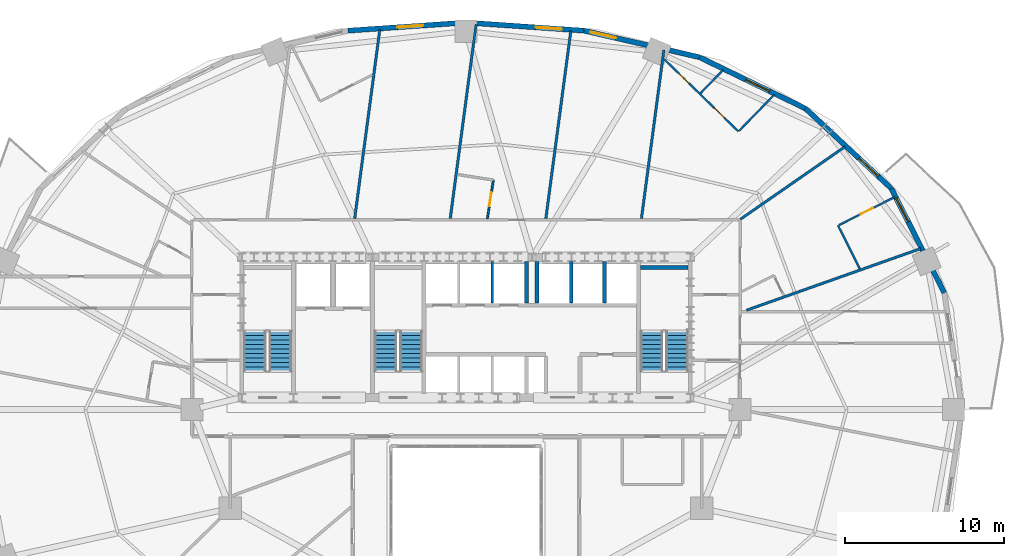
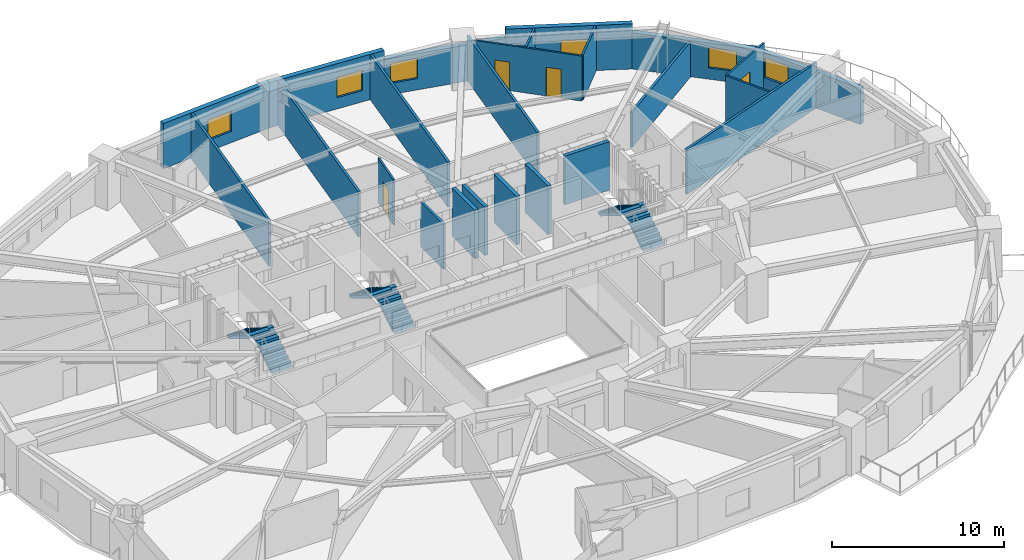
# One storey, part 13 of 17: 24 walls, 6 stair flights, 6 windows, 4 doors, 10 openings, 3 elements without a shape of their own.
"""IFC4 building model written with IfcOpenShell, lengths in metres."""

import ifcopenshell
import ifcopenshell.guid

model = None  # the IFC model being written
_history = None  # IfcOwnerHistory: only IFC2X3 demands one
_inside = {}  # id of a spatial element -> (the spatial element, [elements in it])
_under = {}  # id of a project, library or spatial element -> (it, [spatial elements below it])
_declared = {}  # id of a project -> (the project, [libraries it declares])
_typed = {}  # id of a type object -> (the type object, [elements of that type])
_made_of = {}  # id of a material, layer set ... -> (it, [elements and type objects made of it])


def new_model(schema):
    """Start an empty IFC model of exactly this schema.

    Asked for "IFC4X3", IfcOpenShell would pick the latest addendum, in which some entities
    have other attributes; the version numbers below select the first issue.
    IFC2X3 requires an IfcOwnerHistory on every rooted entity: one is made here for all.
    """
    global model, _history
    if schema == "IFC4X3":
        model = ifcopenshell.file(schema_version=(4, 3, 0, 0))
    else:
        model = ifcopenshell.file(schema=schema)
    _inside.clear()
    _under.clear()
    _declared.clear()
    _typed.clear()
    _made_of.clear()
    _history = None
    if model.schema == "IFC2X3":
        org = make("IfcOrganization", Name="unknown")
        user = make(
            "IfcPersonAndOrganization",
            ThePerson=make("IfcPerson", FamilyName="unknown"),
            TheOrganization=org,
        )
        app = make(
            "IfcApplication",
            ApplicationDeveloper=org,
            Version="unknown",
            ApplicationFullName="unknown",
            ApplicationIdentifier="unknown",
        )
        _history = make(
            "IfcOwnerHistory",
            OwningUser=user,
            OwningApplication=app,
            ChangeAction="ADDED",
            CreationDate=0,
        )
    return model


def make(cls, **values):
    """One entity of the class cls with the attributes given. An attribute that is None is left unset."""
    return model.create_entity(
        cls, **{name: value for name, value in values.items() if value is not None}
    )


def rooted(cls, **values):
    """An entity with a GlobalId (a new one), such as an element, a storey or a relation."""
    return make(cls, GlobalId=ifcopenshell.guid.new(), OwnerHistory=_history, **values)


def si_unit(unit_type, name, prefix=None):
    """IfcSIUnit, for example si_unit("LENGTHUNIT", "METRE", prefix="MILLI")."""
    return make("IfcSIUnit", UnitType=unit_type, Prefix=prefix, Name=name)


def assignment(units):
    """IfcUnitAssignment: the units of a project."""
    return None if units is None else make("IfcUnitAssignment", Units=units)


def point(xyz):
    """IfcCartesianPoint."""
    return None if xyz is None else make("IfcCartesianPoint", Coordinates=xyz)


def direction(xyz):
    """IfcDirection."""
    return None if xyz is None else make("IfcDirection", DirectionRatios=xyz)


def frame(location, z_axis=None, x_axis=None):
    """IfcAxis2Placement3D, a coordinate frame: its origin and axes. An axis left out is left unset."""
    return make(
        "IfcAxis2Placement3D",
        Location=point(location),
        Axis=direction(z_axis),
        RefDirection=direction(x_axis),
    )


def frame_2d(location, x_axis=None):
    """IfcAxis2Placement2D, a coordinate frame in the plane: its origin and x axis."""
    return make(
        "IfcAxis2Placement2D", Location=point(location), RefDirection=direction(x_axis)
    )


def origin():
    """The frame at (0, 0, 0) with its axes left unset."""
    return frame((0.0, 0.0, 0.0))


def place(relative_to, where):
    """IfcLocalPlacement: puts the frame where relative to a parent placement (None: the world)."""
    return make(
        "IfcLocalPlacement", PlacementRelTo=relative_to, RelativePlacement=where
    )


def context(
    kind, dimensions, precision=None, world=None, true_north=None, identifier=None
):
    """IfcGeometricRepresentationContext, for example the 3D "Model" context."""
    return make(
        "IfcGeometricRepresentationContext",
        ContextIdentifier=identifier,
        ContextType=kind,
        CoordinateSpaceDimension=dimensions,
        Precision=precision,
        WorldCoordinateSystem=world,
        TrueNorth=true_north,
    )


def subcontext(parent, identifier, kind, view, scale=None):
    """IfcGeometricRepresentationSubContext, for example "Body" below "Model"."""
    return make(
        "IfcGeometricRepresentationSubContext",
        ContextIdentifier=identifier,
        ContextType=kind,
        ParentContext=parent,
        TargetScale=scale,
        TargetView=view,
    )


def project(units=None, contexts=None):
    """IfcProject with its units and contexts."""
    return rooted(
        "IfcProject",
        Name="project",
        RepresentationContexts=contexts,
        UnitsInContext=assignment(units),
    )


def spatial(cls, under=None, at=None, **own):
    """A site, building, storey or space (cls), placed at a placement, below another one or the project."""
    s = rooted(cls, ObjectPlacement=at, **own)
    if under is not None:
        _under.setdefault(under.id(), (under, []))[1].append(s)
    return s


def polyline(points):
    """IfcPolyline through the points."""
    return make("IfcPolyline", Points=[point(p) for p in points])


def profile(cls, at=None, kind="AREA", **sizes):
    """A parametric profile (cls). Its sizes go by their IFC names, for example OverallWidth=200.0."""
    return make(cls, ProfileType=kind, Position=at, **sizes)


def rectangle(**sizes):
    """IfcRectangleProfileDef."""
    return profile("IfcRectangleProfileDef", **sizes)


def outline(outer, holes=None, kind="AREA"):
    """IfcArbitraryClosedProfileDef: a profile drawn as a closed curve; with holes, ...WithVoids."""
    if holes is None:
        return make("IfcArbitraryClosedProfileDef", ProfileType=kind, OuterCurve=outer)
    return make(
        "IfcArbitraryProfileDefWithVoids",
        ProfileType=kind,
        OuterCurve=outer,
        InnerCurves=holes,
    )


def extrude(swept, where, along, depth):
    """IfcExtrudedAreaSolid: the profile swept, set in the frame where, extruded along a direction by depth."""
    return make(
        "IfcExtrudedAreaSolid",
        SweptArea=swept,
        Position=where,
        ExtrudedDirection=direction(along),
        Depth=depth,
    )


def shape(context_of_items, identifier, shape_type, items):
    """IfcShapeRepresentation: the items that make up one representation, for example the "Body"."""
    return make(
        "IfcShapeRepresentation",
        ContextOfItems=context_of_items,
        RepresentationIdentifier=identifier,
        RepresentationType=shape_type,
        Items=items,
    )


def material(Name=None, Category=None):
    """IfcMaterial."""
    return make("IfcMaterial", Name=Name, Category=Category)


def layer(
    of_material, thickness, ventilated=None, Name=None, Category=None, Priority=None
):
    """IfcMaterialLayer: one layer of a wall or slab, of a material (None: an air gap)."""
    return make(
        "IfcMaterialLayer",
        Material=of_material,
        LayerThickness=thickness,
        IsVentilated=ventilated,
        Name=Name,
        Category=Category,
        Priority=Priority,
    )


def layer_set(layers, Name=None):
    """IfcMaterialLayerSet."""
    return make("IfcMaterialLayerSet", MaterialLayers=layers, LayerSetName=Name)


def made_of(thing, what):
    """Note that an element or type object is made of a material, layer set ...; save() writes the relation."""
    if what is not None:
        _made_of.setdefault(what.id(), (what, []))[1].append(thing)
    return thing


def type_object(cls, material=None, **own):
    """A type object (cls), such as IfcWallType, which elements share."""
    return made_of(rooted(cls, **own), material)


def element(
    cls,
    number,
    at=None,
    inside=None,
    cuts=None,
    type_object=None,
    material=None,
    context=None,
    identifier="Body",
    shape_type=None,
    held_by="IfcProductDefinitionShape",
    body=None,
    shapes=None,
    **own,
):
    """One element of the class cls, such as IfcWall. Its Tag is "e" and its number.

    at: its placement. inside: the storey or other place that contains it. cuts: it is an
    opening in that element (IfcRelVoidsElement). A single representation is given by context,
    identifier, shape_type and body (its items); several are given by shapes. held_by: the class
    of the entity that holds the representations. save() writes the other relations.
    """
    e = rooted(cls, Tag="e%d" % number, ObjectPlacement=at, **own)
    if body is not None:
        shapes = [shape(context, identifier, shape_type, body)]
    if shapes is not None:
        e.Representation = make(held_by, Representations=shapes)
    if inside is not None:
        _inside.setdefault(inside.id(), (inside, []))[1].append(e)
    if cuts is not None:
        rooted(
            "IfcRelVoidsElement", RelatingBuildingElement=cuts, RelatedOpeningElement=e
        )
    if type_object is not None:
        _typed.setdefault(type_object.id(), (type_object, []))[1].append(e)
    return made_of(e, material)


def fill(opening, filler):
    """IfcRelFillsElement: the door or window that sits in an opening."""
    return rooted(
        "IfcRelFillsElement",
        RelatingOpeningElement=opening,
        RelatedBuildingElement=filler,
    )


def aggregate(whole, parts):
    """IfcRelAggregates: a whole, such as a stair, and the parts it consists of."""
    return rooted("IfcRelAggregates", RelatingObject=whole, RelatedObjects=parts)


def save(model, path):
    """Write the relations noted so far, then the file.

    IfcRelAggregates (storeys below a building ...), IfcRelContainedInSpatialStructure (elements
    in a storey), IfcRelDefinesByType, IfcRelAssociatesMaterial and IfcRelDeclares: one each for
    every whole, place, type object, material and project.
    """
    for whole, parts in _under.values():
        aggregate(whole, parts)
    for where, things in _inside.values():
        rooted(
            "IfcRelContainedInSpatialStructure",
            RelatedElements=things,
            RelatingStructure=where,
        )
    for kind, things in _typed.values():
        rooted("IfcRelDefinesByType", RelatedObjects=things, RelatingType=kind)
    for what, things in _made_of.values():
        rooted("IfcRelAssociatesMaterial", RelatedObjects=things, RelatingMaterial=what)
    for by, libraries in _declared.values():
        rooted("IfcRelDeclares", RelatingContext=by, RelatedDefinitions=libraries)
    model.write(path)


model = new_model("IFC4")

# Units and contexts
model_context = context("Model", 3, precision=1e-05, world=origin(), true_north=direction((0.0, 1.0)))
body_context = subcontext(model_context, "Body", "Model", "MODEL_VIEW")
ifc_project = project(units=[si_unit("LENGTHUNIT", "METRE"), si_unit("AREAUNIT", "SQUARE_METRE"), si_unit("VOLUMEUNIT", "CUBIC_METRE"), si_unit("PLANEANGLEUNIT", "RADIAN"), si_unit("MASSUNIT", "GRAM", prefix="KILO")], contexts=[model_context])

# Site, building, storey
site_placement = place(None, origin())
site = spatial("IfcSite", under=ifc_project, at=site_placement, CompositionType="ELEMENT")
building_placement = place(site_placement, origin())
building = spatial("IfcBuilding", under=site, at=building_placement, Name="Haldorwick Loom Tower", CompositionType="ELEMENT")
storey_placement = place(building_placement, frame((0.0, 0.0, 55.050048828125)))
storey = spatial("IfcBuildingStorey", under=building, at=storey_placement, Name="L14", CompositionType="ELEMENT", Elevation=55.050048828125)

# Wall, opening, window
ifc_material_1 = material(Name="Pressed Clay Face Brick and Insulated Masonry Backup Assembly", Category="masonry")
ifc_layer_1 = layer(ifc_material_1, 0.320068359375, Name="Pressed Clay Face Brick and Insulated Masonry Backup Assembly", Category="masonry")
ifc_layer_set_1 = layer_set([ifc_layer_1], Name="Pressed Clay Face Brick and Insulated Masonry Backup Assembly")
wall_type_1 = type_object("IfcWallType", Name="ARC-WL-EXT320", PredefinedType="STANDARD", material=ifc_layer_set_1)
wall_1_placement = place(storey_placement, frame((66.021728515625, 33.320556640625, 0.0), z_axis=(0.0, 0.0, 1.0), x_axis=(-0.452950855928, 0.891535485617, 0.0)))
wall_1 = element("IfcWall", 1, at=wall_1_placement, inside=storey, type_object=wall_type_1, Name="L14 Brick Pier and Spandrel Wall 2", PredefinedType="STANDARD", context=body_context, shape_type="SweptSolid", body=[
    extrude(rectangle(XDim=7.3583984375, YDim=0.320068359375, at=frame_2d((3.67919921875, 0.0))), origin(), (0.0, 0.0, 1.0), 2.56884765625),
])
opening_1_placement = place(wall_1_placement, frame((5.00927734375, 0.0, 0.800048828125)))
opening_1 = element("IfcOpeningElement", 2, at=opening_1_placement, cuts=wall_1, Name="Opening W-01B", PredefinedType="OPENING", context=body_context, shape_type="SweptSolid", body=[
    extrude(rectangle(XDim=1.64990234375, YDim=1.449951171875, at=frame_2d((0.824951171875, 0.72509765625))), frame((0.0, 0.169921875, 0.0), z_axis=(0.0, -1.0, 0.0), x_axis=(1.0, 0.0, 0.0)), (0.0, 0.0, 1.0), 0.340087890625),
])
ifc_material_2 = material(Name="Triple-Glazed Low-E Argon Insulated Glazing Unit", Category="glass")
window_type = type_object("IfcWindowType", Name="ARC-WIN-W165", PartitioningType="SINGLE_PANEL", PredefinedType="WINDOW", material=ifc_material_2)
window_1_placement = place(opening_1_placement, origin())
window_1 = element("IfcWindow", 3, at=window_1_placement, inside=storey, type_object=window_type, Name="L14 Deep-Set Zone 7A Window 2", OverallHeight=1.449951171875, OverallWidth=1.64990234375, PartitioningType="SINGLE_PANEL", PredefinedType="WINDOW", context=body_context, shape_type="SweptSolid", body=[
    extrude(rectangle(XDim=1.64990234375, YDim=1.449951171875, at=frame_2d((0.824951171875, 0.72509765625))), frame((0.0, 0.030029296875, 0.0), z_axis=(0.0, -1.0, 0.0), x_axis=(1.0, 0.0, 0.0)), (0.0, 0.0, 1.0), 0.06005859375),
])
fill(opening_1, window_1)

wall_2_placement = place(storey_placement, frame((62.688720703125, 39.880859375, 0.0), z_axis=(0.0, 0.0, 1.0), x_axis=(-0.73176101237, 0.681561311091, 0.0)))
wall_2 = element("IfcWall", 4, at=wall_2_placement, inside=storey, type_object=wall_type_1, Name="L14 Brick Pier and Spandrel Wall 3", PredefinedType="STANDARD", context=body_context, shape_type="SweptSolid", body=[
    extrude(rectangle(XDim=7.3583984375, YDim=0.320068359375, at=frame_2d((3.67919921875, 0.0))), origin(), (0.0, 0.0, 1.0), 2.56884765625),
])
opening_2_placement = place(wall_2_placement, frame((1.1181640625, 0.0, 0.800048828125)))
opening_2 = element("IfcOpeningElement", 5, at=opening_2_placement, cuts=wall_2, Name="Opening W-01B", PredefinedType="OPENING", context=body_context, shape_type="SweptSolid", body=[
    extrude(rectangle(XDim=1.64990234375, YDim=1.449951171875, at=frame_2d((0.824951171875, 0.72509765625))), frame((0.0, 0.169921875, 0.0), z_axis=(0.0, -1.0, 0.0), x_axis=(1.0, 0.0, 0.0)), (0.0, 0.0, 1.0), 0.340087890625),
])
window_2_placement = place(opening_2_placement, origin())
window_2 = element("IfcWindow", 6, at=window_2_placement, inside=storey, type_object=window_type, Name="L14 Deep-Set Zone 7A Window 3", OverallHeight=1.449951171875, OverallWidth=1.64990234375, PartitioningType="SINGLE_PANEL", PredefinedType="WINDOW", context=body_context, shape_type="SweptSolid", body=[
    extrude(rectangle(XDim=1.64990234375, YDim=1.449951171875, at=frame_2d((0.824951171875, 0.72509765625))), frame((0.0, 0.030029296875, 0.0), z_axis=(0.0, -1.0, 0.0), x_axis=(1.0, 0.0, 0.0)), (0.0, 0.0, 1.0), 0.06005859375),
])
fill(opening_2, window_2)

wall_3_placement = place(storey_placement, frame((57.30419921875, 44.89599609375, 0.0), z_axis=(0.0, 0.0, 1.0), x_axis=(-0.900295710431, 0.435278800057, 0.0)))
wall_3 = element("IfcWall", 7, at=wall_3_placement, inside=storey, type_object=wall_type_1, Name="L14 Brick Pier and Spandrel Wall 4", PredefinedType="STANDARD", context=body_context, shape_type="SweptSolid", body=[
    extrude(rectangle(XDim=7.39697265625, YDim=0.320068359375, at=frame_2d((3.698486328125, 0.0))), origin(), (0.0, 0.0, 1.0), 3.2099609375),
])
opening_3_placement = place(wall_3_placement, frame((2.51171875, 0.0, 0.800048828125)))
opening_3 = element("IfcOpeningElement", 8, at=opening_3_placement, cuts=wall_3, Name="Opening W-01B", PredefinedType="OPENING", context=body_context, shape_type="SweptSolid", body=[
    extrude(rectangle(XDim=1.64990234375, YDim=1.449951171875, at=frame_2d((0.824951171875, 0.72509765625))), frame((0.0, 0.169921875, 0.0), z_axis=(0.0, -1.0, 0.0), x_axis=(1.0, 0.0, 0.0)), (0.0, 0.0, 1.0), 0.340087890625),
])
window_3_placement = place(opening_3_placement, origin())
window_3 = element("IfcWindow", 9, at=window_3_placement, inside=storey, type_object=window_type, Name="L14 Deep-Set Zone 7A Window 4", OverallHeight=1.449951171875, OverallWidth=1.64990234375, PartitioningType="SINGLE_PANEL", PredefinedType="WINDOW", context=body_context, shape_type="SweptSolid", body=[
    extrude(rectangle(XDim=1.64990234375, YDim=1.449951171875, at=frame_2d((0.824951171875, 0.72509765625))), frame((0.0, 0.030029296875, 0.0), z_axis=(0.0, -1.0, 0.0), x_axis=(1.0, 0.0, 0.0)), (0.0, 0.0, 1.0), 0.06005859375),
])
fill(opening_3, window_3)

wall_4_placement = place(storey_placement, frame((50.644775390625, 48.11572265625, 0.0), z_axis=(0.0, 0.0, 1.0), x_axis=(-0.974522412345, 0.224290142088, 0.0)))
wall_4 = element("IfcWall", 10, at=wall_4_placement, inside=storey, type_object=wall_type_1, Name="L14 Brick Pier and Spandrel Wall 5", PredefinedType="STANDARD", context=body_context, shape_type="SweptSolid", body=[
    extrude(rectangle(XDim=7.422607421875, YDim=0.320068359375, at=frame_2d((3.71142578125, 0.0))), origin(), (0.0, 0.0, 1.0), 2.56884765625),
])
opening_4_placement = place(wall_4_placement, frame((5.37255859375, 0.0, 0.800048828125)))
opening_4 = element("IfcOpeningElement", 11, at=opening_4_placement, cuts=wall_4, Name="Opening W-01B", PredefinedType="OPENING", context=body_context, shape_type="SweptSolid", body=[
    extrude(rectangle(XDim=1.64990234375, YDim=1.449951171875, at=frame_2d((0.824951171875, 0.72509765625))), frame((0.0, 0.169921875, 0.0), z_axis=(0.0, -1.0, 0.0), x_axis=(1.0, 0.0, 0.0)), (0.0, 0.0, 1.0), 0.340087890625),
])
window_4_placement = place(opening_4_placement, origin())
window_4 = element("IfcWindow", 12, at=window_4_placement, inside=storey, type_object=window_type, Name="L14 Deep-Set Zone 7A Window 5", OverallHeight=1.449951171875, OverallWidth=1.64990234375, PartitioningType="SINGLE_PANEL", PredefinedType="WINDOW", context=body_context, shape_type="SweptSolid", body=[
    extrude(rectangle(XDim=1.64990234375, YDim=1.449951171875, at=frame_2d((0.824951171875, 0.72509765625))), frame((0.0, 0.030029296875, 0.0), z_axis=(0.0, -1.0, 0.0), x_axis=(1.0, 0.0, 0.0)), (0.0, 0.0, 1.0), 0.06005859375),
])
fill(opening_4, window_4)

wall_5_placement = place(storey_placement, frame((43.411376953125, 49.780517578125, 0.0), z_axis=(0.0, 0.0, 1.0), x_axis=(-0.997645161917, 0.068586667092, 0.0)))
wall_5 = element("IfcWall", 13, at=wall_5_placement, inside=storey, type_object=wall_type_1, Name="L14 Brick Pier and Spandrel Wall 6", PredefinedType="STANDARD", context=body_context, shape_type="SweptSolid", body=[
    extrude(rectangle(XDim=7.428955078125, YDim=0.320068359375, at=frame_2d((3.71435546875, 0.0))), origin(), (0.0, 0.0, 1.0), 3.2099609375),
])
opening_5_placement = place(wall_5_placement, frame((1.403564453125, 0.0, 0.800048828125)))
opening_5 = element("IfcOpeningElement", 14, at=opening_5_placement, cuts=wall_5, Name="Opening W-01B", PredefinedType="OPENING", context=body_context, shape_type="SweptSolid", body=[
    extrude(rectangle(XDim=1.64990234375, YDim=1.449951171875, at=frame_2d((0.824951171875, 0.72509765625))), frame((0.0, 0.169921875, 0.0), z_axis=(0.0, -1.0, 0.0), x_axis=(1.0, 0.0, 0.0)), (0.0, 0.0, 1.0), 0.340087890625),
])
window_5_placement = place(opening_5_placement, origin())
window_5 = element("IfcWindow", 15, at=window_5_placement, inside=storey, type_object=window_type, Name="L14 Deep-Set Zone 7A Window 6", OverallHeight=1.449951171875, OverallWidth=1.64990234375, PartitioningType="SINGLE_PANEL", PredefinedType="WINDOW", context=body_context, shape_type="SweptSolid", body=[
    extrude(rectangle(XDim=1.64990234375, YDim=1.449951171875, at=frame_2d((0.824951171875, 0.72509765625))), frame((0.0, 0.030029296875, 0.0), z_axis=(0.0, -1.0, 0.0), x_axis=(1.0, 0.0, 0.0)), (0.0, 0.0, 1.0), 0.06005859375),
])
fill(opening_5, window_5)

wall_6_placement = place(storey_placement, frame((36.0, 50.2900390625, 0.0), z_axis=(0.0, 0.0, 1.0), x_axis=(-0.997645161917, -0.068586667092, 0.0)))
wall_6 = element("IfcWall", 16, at=wall_6_placement, inside=storey, type_object=wall_type_1, Name="L14 Brick Pier and Spandrel Wall 7", PredefinedType="STANDARD", context=body_context, shape_type="SweptSolid", body=[
    extrude(rectangle(XDim=7.428955078125, YDim=0.320068359375, at=frame_2d((3.71435546875, 0.0))), origin(), (0.0, 0.0, 1.0), 3.2099609375),
])
opening_6_placement = place(wall_6_placement, frame((2.679443359375, 0.0, 0.800048828125)))
opening_6 = element("IfcOpeningElement", 17, at=opening_6_placement, cuts=wall_6, Name="Opening W-01B", PredefinedType="OPENING", context=body_context, shape_type="SweptSolid", body=[
    extrude(rectangle(XDim=1.64990234375, YDim=1.449951171875, at=frame_2d((0.824951171875, 0.72509765625))), frame((0.0, 0.169921875, 0.0), z_axis=(0.0, -1.0, 0.0), x_axis=(1.0, 0.0, 0.0)), (0.0, 0.0, 1.0), 0.340087890625),
])
window_6_placement = place(opening_6_placement, origin())
window_6 = element("IfcWindow", 18, at=window_6_placement, inside=storey, type_object=window_type, Name="L14 Deep-Set Zone 7A Window 7", OverallHeight=1.449951171875, OverallWidth=1.64990234375, PartitioningType="SINGLE_PANEL", PredefinedType="WINDOW", context=body_context, shape_type="SweptSolid", body=[
    extrude(rectangle(XDim=1.64990234375, YDim=1.449951171875, at=frame_2d((0.824951171875, 0.72509765625))), frame((0.0, 0.030029296875, 0.0), z_axis=(0.0, -1.0, 0.0), x_axis=(1.0, 0.0, 0.0)), (0.0, 0.0, 1.0), 0.06005859375),
])
fill(opening_6, window_6)

# Walls
ifc_material_3 = material(Name="Fire-Rated Type X Gypsum Stud Assembly EI 60")
ifc_layer_2 = layer(ifc_material_3, 0.159912109375, Name="Fire-Rated Type X Gypsum Stud Assembly EI 60")
ifc_layer_set_2 = layer_set([ifc_layer_2], Name="Fire-Rated Type X Gypsum Stud Assembly EI 60")
wall_type_2 = type_object("IfcWallType", Name="ARC-WL-FIRE160", PredefinedType="PARTITIONING", material=ifc_layer_set_2)
wall_7_placement = place(storey_placement, frame((29.010986328125, 37.98291015625, 0.0), z_axis=(0.0, 0.0, 1.0), x_axis=(0.131892611643, 0.991264010743, 0.0)))
element("IfcWall", 19, at=wall_7_placement, inside=storey, type_object=wall_type_2, Name="L14 Residential Fire Partition L14-UPN-15", PredefinedType="PARTITIONING", context=body_context, shape_type="SweptSolid", body=[
    extrude(rectangle(XDim=11.974365234375, YDim=0.159912109375, at=frame_2d((5.9873046875, 0.0))), origin(), (0.0, 0.0, 1.0), 3.195068359375),
])
wall_8_placement = place(storey_placement, frame((35.010986328125, 37.98291015625, 0.0), z_axis=(0.0, 0.0, 1.0), x_axis=(0.131871324026, 0.991266842934, 0.0)))
element("IfcWall", 20, at=wall_8_placement, inside=storey, type_object=wall_type_2, Name="L14 Residential Fire Partition L14-UPN-16", PredefinedType="PARTITIONING", context=body_context, shape_type="SweptSolid", body=[
    extrude(rectangle(XDim=12.305908203125, YDim=0.159912109375, at=frame_2d((6.15283203125, 0.0))), origin(), (0.0, 0.0, 1.0), 3.195068359375),
])
wall_9_placement = place(storey_placement, frame((41.010986328125, 37.98291015625, 0.0), z_axis=(0.0, 0.0, 1.0), x_axis=(0.131888075112, 0.99126461434, 0.0)))
element("IfcWall", 21, at=wall_9_placement, inside=storey, type_object=wall_type_2, Name="L14 Residential Fire Partition L14-UPN-17", PredefinedType="PARTITIONING", context=body_context, shape_type="SweptSolid", body=[
    extrude(rectangle(XDim=11.8935546875, YDim=0.159912109375, at=frame_2d((5.94677734375, 0.0))), origin(), (0.0, 0.0, 1.0), 3.195068359375),
])
wall_10_placement = place(storey_placement, frame((47.010986328125, 37.98291015625, 0.0), z_axis=(0.0, 0.0, 1.0), x_axis=(0.131889483292, 0.991264426981, 0.0)))
element("IfcWall", 22, at=wall_10_placement, inside=storey, type_object=wall_type_2, Name="L14 Residential Fire Partition L14-UPN-18", PredefinedType="PARTITIONING", context=body_context, shape_type="SweptSolid", body=[
    extrude(rectangle(XDim=10.671630859375, YDim=0.159912109375, at=frame_2d((5.3359375, 0.0))), origin(), (0.0, 0.0, 1.0), 3.195068359375),
])
wall_11_placement = place(storey_placement, frame((53.60693359375, 32.23291015625, 0.0), z_axis=(0.0, 0.0, 1.0), x_axis=(0.942668773829, 0.333729805152, 0.0)))
element("IfcWall", 23, at=wall_11_placement, inside=storey, type_object=wall_type_2, Name="L14 Suite Split Wall", PredefinedType="PARTITIONING", context=body_context, shape_type="SweptSolid", body=[
    extrude(rectangle(XDim=11.59375, YDim=0.159912109375, at=frame_2d((5.796875, 0.0))), origin(), (0.0, 0.0, 1.0), 3.195068359375),
])
wall_12_placement = place(storey_placement, frame((53.21630859375, 37.93994140625, 0.0), z_axis=(0.0, 0.0, 1.0), x_axis=(0.821714778091, 0.569898958998, 0.0)))
element("IfcWall", 24, at=wall_12_placement, inside=storey, type_object=wall_type_2, Name="L14 Suite Split Wall", PredefinedType="PARTITIONING", context=body_context, shape_type="SweptSolid", body=[
    extrude(rectangle(XDim=7.99462890625, YDim=0.159912109375, at=frame_2d((3.997314453125, 0.0))), origin(), (0.0, 0.0, 1.0), 2.489990234375),
])

# Wall, opening, door
ifc_material_4 = material(Name="Acoustic Gypsum Stud Assembly STC 55")
ifc_layer_3 = layer(ifc_material_4, 0.1201171875, Name="Acoustic Gypsum Stud Assembly STC 55")
ifc_layer_set_3 = layer_set([ifc_layer_3], Name="Acoustic Gypsum Stud Assembly STC 55")
wall_type_3 = type_object("IfcWallType", Name="ARC-WL-PART120", PredefinedType="PARTITIONING", material=ifc_layer_set_3)
wall_13_placement = place(storey_placement, frame((37.341064453125, 37.98291015625, 0.0), z_axis=(0.0, 0.0, 1.0), x_axis=(0.153473321851, 0.988152791566, 0.0)))
wall_13 = element("IfcWall", 25, at=wall_13_placement, inside=storey, type_object=wall_type_3, Name="L14 Unit 14G Interior Partition", PredefinedType="PARTITIONING", context=body_context, shape_type="SweptSolid", body=[
    extrude(rectangle(XDim=2.4482421875, YDim=0.1201171875, at=frame_2d((1.22412109375, 0.0))), origin(), (0.0, 0.0, 1.0), 3.195068359375),
])
opening_7_placement = place(wall_13_placement, frame((0.7841796875, 0.0, 0.0)))
opening_7 = element("IfcOpeningElement", 26, at=opening_7_placement, cuts=wall_13, Name="Opening D-BT88", PredefinedType="OPENING", context=body_context, shape_type="SweptSolid", body=[
    extrude(rectangle(XDim=0.8798828125, YDim=2.02001953125, at=frame_2d((0.43994140625, 1.010009765625))), frame((0.0, 0.070068359375, 0.0), z_axis=(0.0, -1.0, 0.0), x_axis=(1.0, 0.0, 0.0)), (0.0, 0.0, 1.0), 0.14013671875),
])
ifc_material_5 = material(Name="Solid Core Birch Architectural Door")
door_type_1 = type_object("IfcDoorType", Name="ARC-DR-BATH88", OperationType="NOTDEFINED", PredefinedType="DOOR", material=ifc_material_5)
door_1_placement = place(opening_7_placement, origin())
door_1 = element("IfcDoor", 27, at=door_1_placement, inside=storey, type_object=door_type_1, Name="L14 Unit 14G Bathroom to Unit 14G Kitchen and Studio Living Room Door", OperationType="SINGLE_SWING_LEFT", OverallHeight=2.02001953125, OverallWidth=0.8798828125, PredefinedType="DOOR", context=body_context, shape_type="SweptSolid", body=[
    extrude(rectangle(XDim=0.8798828125, YDim=2.02001953125, at=frame_2d((0.43994140625, 1.010009765625))), frame((0.0, 0.02490234375, 0.0), z_axis=(0.0, -1.0, 0.0), x_axis=(1.0, 0.0, 0.0)), (0.0, 0.0, 1.0), 0.050048828125),
])
fill(opening_7, door_1)

# Wall
wall_14_placement = place(storey_placement, frame((60.7158203125, 34.837646484375, 0.0), z_axis=(0.0, 0.0, 1.0), x_axis=(-0.449400530319, 0.893330377491, 0.0)))
element("IfcWall", 28, at=wall_14_placement, inside=storey, type_object=wall_type_3, Name="L14 Unit 14J Interior Partition", PredefinedType="PARTITIONING", context=body_context, shape_type="SweptSolid", body=[
    extrude(rectangle(XDim=3.03466796875, YDim=0.1201171875, at=frame_2d((1.517333984375, 0.0))), origin(), (0.0, 0.0, 1.0), 3.195068359375),
])

# Wall, opening, door
wall_15_placement = place(storey_placement, frame((59.408203125, 37.576904296875, 0.0), z_axis=(0.0, 0.0, 1.0), x_axis=(0.893311142438, 0.449438764234, 0.0)))
wall_15 = element("IfcWall", 29, at=wall_15_placement, inside=storey, type_object=wall_type_3, Name="L14 Unit 14J Interior Partition", PredefinedType="PARTITIONING", context=body_context, shape_type="SweptSolid", body=[
    extrude(rectangle(XDim=3.903564453125, YDim=0.1201171875, at=frame_2d((1.95166015625, 0.0))), origin(), (0.0, 0.0, 1.0), 3.195068359375),
])
opening_8_placement = place(wall_15_placement, frame((1.501708984375, 0.0, 0.0)))
opening_8 = element("IfcOpeningElement", 30, at=opening_8_placement, cuts=wall_15, Name="Opening D-IN90", PredefinedType="OPENING", context=body_context, shape_type="SweptSolid", body=[
    extrude(rectangle(XDim=0.89990234375, YDim=2.0400390625, at=frame_2d((0.449951171875, 1.02001953125))), frame((0.0, 0.070068359375, 0.0), z_axis=(0.0, -1.0, 0.0), x_axis=(1.0, 0.0, 0.0)), (0.0, 0.0, 1.0), 0.14013671875),
])
door_type_2 = type_object("IfcDoorType", Name="ARC-DR-INT90", OperationType="NOTDEFINED", PredefinedType="DOOR", material=ifc_material_5)
door_2_placement = place(opening_8_placement, origin())
door_2 = element("IfcDoor", 31, at=door_2_placement, inside=storey, type_object=door_type_2, Name="L14 Unit 14J Kitchen and Living Room to Unit 14J Bedroom 1 Door", OperationType="SINGLE_SWING_LEFT", OverallHeight=2.0400390625, OverallWidth=0.89990234375, PredefinedType="DOOR", context=body_context, shape_type="SweptSolid", body=[
    extrude(rectangle(XDim=0.89990234375, YDim=2.0400390625, at=frame_2d((0.449951171875, 1.02001953125))), frame((0.0, 0.02490234375, 0.0), z_axis=(0.0, -1.0, 0.0), x_axis=(1.0, 0.0, 0.0)), (0.0, 0.0, 1.0), 0.050048828125),
])
fill(opening_8, door_2)

# Wall, openings, doors
wall_16_placement = place(storey_placement, frame((53.098388671875, 43.45068359375, 0.0), z_axis=(0.0, 0.0, 1.0), x_axis=(-0.716200799815, 0.697894271609, 0.0)))
wall_16 = element("IfcWall", 32, at=wall_16_placement, inside=storey, type_object=wall_type_3, Name="L14 Unit 14K Interior Partition", PredefinedType="PARTITIONING", context=body_context, shape_type="SweptSolid", body=[
    extrude(rectangle(XDim=6.521484375, YDim=0.1201171875, at=frame_2d((3.2607421875, 0.0))), origin(), (0.0, 0.0, 1.0), 3.195068359375),
])
opening_9_placement = place(wall_16_placement, frame((1.236572265625, 0.0, 0.0)))
opening_9 = element("IfcOpeningElement", 33, at=opening_9_placement, cuts=wall_16, Name="Opening D-IN90", PredefinedType="OPENING", context=body_context, shape_type="SweptSolid", body=[
    extrude(rectangle(XDim=0.89990234375, YDim=2.0400390625, at=frame_2d((0.449951171875, 1.02001953125))), frame((0.0, 0.070068359375, 0.0), z_axis=(0.0, -1.0, 0.0), x_axis=(1.0, 0.0, 0.0)), (0.0, 0.0, 1.0), 0.14013671875),
])
opening_10_placement = place(wall_16_placement, frame((4.329345703125, 0.0, 0.0)))
opening_10 = element("IfcOpeningElement", 34, at=opening_10_placement, cuts=wall_16, Name="Opening D-BT88", PredefinedType="OPENING", context=body_context, shape_type="SweptSolid", body=[
    extrude(rectangle(XDim=0.8798828125, YDim=2.02001953125, at=frame_2d((0.43994140625, 1.010009765625))), frame((0.0, 0.070068359375, 0.0), z_axis=(0.0, -1.0, 0.0), x_axis=(1.0, 0.0, 0.0)), (0.0, 0.0, 1.0), 0.14013671875),
])
door_3_placement = place(opening_10_placement, origin())
door_3 = element("IfcDoor", 35, at=door_3_placement, inside=storey, type_object=door_type_1, Name="L14 Unit 14K Kitchen and Living Room to Unit 14K Bathroom Door", OperationType="SINGLE_SWING_LEFT", OverallHeight=2.02001953125, OverallWidth=0.8798828125, PredefinedType="DOOR", context=body_context, shape_type="SweptSolid", body=[
    extrude(rectangle(XDim=0.8798828125, YDim=2.02001953125, at=frame_2d((0.43994140625, 1.010009765625))), frame((0.0, 0.02490234375, 0.0), z_axis=(0.0, -1.0, 0.0), x_axis=(1.0, 0.0, 0.0)), (0.0, 0.0, 1.0), 0.050048828125),
])
fill(opening_10, door_3)
door_4_placement = place(opening_9_placement, origin())
door_4 = element("IfcDoor", 36, at=door_4_placement, inside=storey, type_object=door_type_2, Name="L14 Unit 14K Kitchen and Living Room to Unit 14K Bedroom 1 Door", OperationType="SINGLE_SWING_RIGHT", OverallHeight=2.0400390625, OverallWidth=0.89990234375, PredefinedType="DOOR", context=body_context, shape_type="SweptSolid", body=[
    extrude(rectangle(XDim=0.89990234375, YDim=2.0400390625, at=frame_2d((0.449951171875, 1.02001953125))), frame((0.0, 0.02490234375, 0.0), z_axis=(0.0, -1.0, 0.0), x_axis=(1.0, 0.0, 0.0)), (0.0, 0.0, 1.0), 0.050048828125),
])
fill(opening_9, door_4)

# Walls
wall_17_placement = place(storey_placement, frame((53.142578125, 43.495849609375, 0.0), z_axis=(0.0, 0.0, 1.0), x_axis=(0.697882960222, 0.716211821901, 0.0)))
element("IfcWall", 37, at=wall_17_placement, inside=storey, type_object=wall_type_3, Name="L14 Unit 14K Interior Partition", PredefinedType="PARTITIONING", context=body_context, shape_type="SweptSolid", body=[
    extrude(rectangle(XDim=3.170166015625, YDim=0.1201171875, at=frame_2d((1.5849609375, 0.0))), origin(), (0.0, 0.0, 1.0), 3.195068359375),
])
wall_18_placement = place(storey_placement, frame((50.718994140625, 45.857421875, 0.0), z_axis=(0.0, 0.0, 1.0), x_axis=(0.697896196061, 0.716198924548, 0.0)))
element("IfcWall", 38, at=wall_18_placement, inside=storey, type_object=wall_type_3, Name="L14 Unit 14K Interior Partition", PredefinedType="PARTITIONING", context=body_context, shape_type="SweptSolid", body=[
    extrude(rectangle(XDim=2.040771484375, YDim=0.1201171875, at=frame_2d((1.0205078125, 0.0))), origin(), (0.0, 0.0, 1.0), 3.195068359375),
])
ifc_material_6 = material(Name="Fire-Rated Type X Gypsum Stud Assembly EI 120")
ifc_layer_4 = layer(ifc_material_6, 0.1650390625, Name="Fire-Rated Type X Gypsum Stud Assembly EI 120")
ifc_layer_set_4 = layer_set([ifc_layer_4], Name="Fire-Rated Type X Gypsum Stud Assembly EI 120")
wall_type_4 = type_object("IfcWallType", Name="ARC-WL-SHAFT160", PredefinedType="MOVABLE", material=ifc_layer_set_4)
wall_19_placement = place(storey_placement, frame((37.64990234375, 32.673095703125, 0.0), z_axis=(0.0, 0.0, 1.0), x_axis=(0.0, 1.0, 0.0)))
element("IfcWall", 39, at=wall_19_placement, inside=storey, type_object=wall_type_4, Name="L14 Low-Rise Hoistway Divider 2", PredefinedType="MOVABLE", context=body_context, shape_type="SweptSolid", body=[
    extrude(rectangle(XDim=2.6240234375, YDim=0.159912109375, at=frame_2d((1.31201171875, 0.0))), origin(), (0.0, 0.0, 1.0), 3.195068359375),
])
ifc_material_7 = material(Name="Concrete C50 (50 MPa)", Category="concrete")
ifc_layer_5 = layer(ifc_material_7, 0.239990234375, Name="Concrete C50 (50 MPa)", Category="concrete")
ifc_layer_set_5 = layer_set([ifc_layer_5], Name="Concrete C50 (50 MPa)")
wall_type_5 = type_object("IfcWallType", Name="STR-WL-SHAFT240", PredefinedType="SHEAR", material=ifc_layer_set_5)
wall_20_placement = place(storey_placement, frame((46.952880859375, 34.919921875, 0.0), z_axis=(0.0, 0.0, 1.0), x_axis=(1.0, 0.0, 0.0)))
element("IfcWall", 40, at=wall_20_placement, inside=storey, type_object=wall_type_5, Name="L14 Core Shear Wall 4N", PredefinedType="SHEAR", context=body_context, shape_type="SweptSolid", body=[
    extrude(rectangle(XDim=2.994140625, YDim=0.239990234375, at=frame_2d((1.4970703125, 0.0))), origin(), (0.0, 0.0, 1.0), 3.449951171875),
])
for number, where, z_axis, x_axis, name in (
    (41, (39.800048828125, 32.673095703125, 0.0), (0.0, 0.0, 1.0), (0.0, 1.0, 0.0), "L14 Core Shear Wall LHW"),
    (42, (40.449951171875, 32.673095703125, 0.0), (0.0, 0.0, 1.0), (0.0, 1.0, 0.0), "L14 Core Shear Wall H0"),
    (43, (42.60009765625, 32.673095703125, 0.0), (0.0, 0.0, 1.0), (0.0, 1.0, 0.0), "L14 Core Shear Wall H1"),
    (44, (44.699951171875, 32.673095703125, 0.0), (0.0, 0.0, 1.0), (0.0, 1.0, 0.0), "L14 Core Shear Wall H2"),
):
    element("IfcWall", number, at=place(storey_placement, frame(where, z_axis=z_axis, x_axis=x_axis)), inside=storey, type_object=wall_type_5, Name=name, PredefinedType="SHEAR", context=body_context, shape_type="SweptSolid", body=[
        extrude(rectangle(XDim=2.6240234375, YDim=0.239990234375, at=frame_2d((1.31201171875, 0.0))), origin(), (0.0, 0.0, 1.0), 3.449951171875),
    ])

# Stair, stair flights
ifc_material_8 = material(Name="Concrete C40 (40 MPa)", Category="concrete")
stair_type = type_object("IfcStairType", Name="STR-STR-CORE", PredefinedType="HALF_TURN_STAIR", material=ifc_material_8)
stair_1_placement = place(storey_placement, origin())
stair_1 = element("IfcStair", 45, at=stair_1_placement, inside=storey, type_object=stair_type, Name="L14 Exit Stair ST-01", PredefinedType="HALF_TURN_STAIR")
stair_flight_type = type_object("IfcStairFlightType", Name="STR-STF-1250", PredefinedType="STRAIGHT", material=ifc_material_8)
stair_flight_1_placement = place(storey_placement, frame((24.35009765625, 28.39990234375, 0.0), z_axis=(0.0, 0.0, 1.0), x_axis=(0.0, 1.0, 0.0)))
stair_flight_1 = element("IfcStairFlight", 46, at=stair_flight_1_placement, type_object=stair_flight_type, Name="ST-01 flight 1", NumberOfRisers=10, NumberOfTreads=9, PredefinedType="STRAIGHT", RiserHeight=0.1725, TreadLength=0.28, context=body_context, shape_type="SweptSolid", body=[
    extrude(outline(polyline([(0.0, 0.0), (0.0, 0.172607421875), (0.280029296875, 0.172607421875), (0.280029296875, 0.344970703125), (0.56005859375, 0.344970703125), (0.56005859375, 0.517578125), (0.840087890625, 0.517578125), (0.840087890625, 0.68994140625), (1.1201171875, 0.68994140625), (1.1201171875, 0.862548828125), (1.39990234375, 0.862548828125), (1.39990234375, 1.034912109375), (1.679931640625, 1.034912109375), (1.679931640625, 1.20751953125), (1.9599609375, 1.20751953125), (1.9599609375, 1.3798828125), (2.239990234375, 1.3798828125), (2.239990234375, 1.552490234375), (2.52001953125, 1.552490234375), (2.52001953125, 1.72509765625), (2.52001953125, 1.37646484375), (0.285888671875, 0.0), (0.0, 0.0)])), frame((0.0, 0.699951171875, 0.0), z_axis=(0.0, -1.0, 0.0), x_axis=(1.0, 0.0, 0.0)), (0.0, 0.0, 1.0), 1.39990234375),
])
stair_flight_2_placement = place(storey_placement, frame((22.75, 30.919921875, 1.724853515625), z_axis=(0.0, 0.0, 1.0), x_axis=(0.0, -1.0, 0.0)))
stair_flight_2 = element("IfcStairFlight", 47, at=stair_flight_2_placement, type_object=stair_flight_type, Name="ST-01 flight 2", NumberOfRisers=10, NumberOfTreads=9, PredefinedType="STRAIGHT", RiserHeight=0.1725, TreadLength=0.28, context=body_context, shape_type="SweptSolid", body=[
    extrude(outline(polyline([(0.0, 0.0), (0.0, 0.172607421875), (0.280029296875, 0.172607421875), (0.280029296875, 0.344970703125), (0.56005859375, 0.344970703125), (0.56005859375, 0.517578125), (0.840087890625, 0.517578125), (0.840087890625, 0.68994140625), (1.1201171875, 0.68994140625), (1.1201171875, 0.862548828125), (1.39990234375, 0.862548828125), (1.39990234375, 1.034912109375), (1.679931640625, 1.034912109375), (1.679931640625, 1.20751953125), (1.9599609375, 1.20751953125), (1.9599609375, 1.3798828125), (2.239990234375, 1.3798828125), (2.239990234375, 1.552490234375), (2.52001953125, 1.552490234375), (2.52001953125, 1.72509765625), (2.52001953125, 1.37646484375), (0.285888671875, 0.0), (0.0, 0.0)])), frame((0.0, 0.699951171875, 0.0), z_axis=(0.0, -1.0, 0.0), x_axis=(1.0, 0.0, 0.0)), (0.0, 0.0, 1.0), 1.39990234375),
])
aggregate(stair_1, [stair_flight_1, stair_flight_2])

stair_2_placement = place(storey_placement, origin())
stair_2 = element("IfcStair", 48, at=stair_2_placement, inside=storey, type_object=stair_type, Name="L14 Exit Stair ST-02", PredefinedType="HALF_TURN_STAIR")
stair_flight_3_placement = place(storey_placement, frame((49.25, 28.39990234375, 0.0), z_axis=(0.0, 0.0, 1.0), x_axis=(0.0, 1.0, 0.0)))
stair_flight_3 = element("IfcStairFlight", 49, at=stair_flight_3_placement, type_object=stair_flight_type, Name="ST-02 flight 1", NumberOfRisers=10, NumberOfTreads=9, PredefinedType="STRAIGHT", RiserHeight=0.1725, TreadLength=0.28, context=body_context, shape_type="SweptSolid", body=[
    extrude(outline(polyline([(0.0, 0.0), (0.0, 0.172607421875), (0.280029296875, 0.172607421875), (0.280029296875, 0.344970703125), (0.56005859375, 0.344970703125), (0.56005859375, 0.517578125), (0.840087890625, 0.517578125), (0.840087890625, 0.68994140625), (1.1201171875, 0.68994140625), (1.1201171875, 0.862548828125), (1.39990234375, 0.862548828125), (1.39990234375, 1.034912109375), (1.679931640625, 1.034912109375), (1.679931640625, 1.20751953125), (1.9599609375, 1.20751953125), (1.9599609375, 1.3798828125), (2.239990234375, 1.3798828125), (2.239990234375, 1.552490234375), (2.52001953125, 1.552490234375), (2.52001953125, 1.72509765625), (2.52001953125, 1.37646484375), (0.285888671875, 0.0), (0.0, 0.0)])), frame((0.0, 0.699951171875, 0.0), z_axis=(0.0, -1.0, 0.0), x_axis=(1.0, 0.0, 0.0)), (0.0, 0.0, 1.0), 1.39990234375),
])
stair_flight_4_placement = place(storey_placement, frame((47.64990234375, 30.919921875, 1.724853515625), z_axis=(0.0, 0.0, 1.0), x_axis=(0.0, -1.0, 0.0)))
stair_flight_4 = element("IfcStairFlight", 50, at=stair_flight_4_placement, type_object=stair_flight_type, Name="ST-02 flight 2", NumberOfRisers=10, NumberOfTreads=9, PredefinedType="STRAIGHT", RiserHeight=0.1725, TreadLength=0.28, context=body_context, shape_type="SweptSolid", body=[
    extrude(outline(polyline([(0.0, 0.0), (0.0, 0.172607421875), (0.280029296875, 0.172607421875), (0.280029296875, 0.344970703125), (0.56005859375, 0.344970703125), (0.56005859375, 0.517578125), (0.840087890625, 0.517578125), (0.840087890625, 0.68994140625), (1.1201171875, 0.68994140625), (1.1201171875, 0.862548828125), (1.39990234375, 0.862548828125), (1.39990234375, 1.034912109375), (1.679931640625, 1.034912109375), (1.679931640625, 1.20751953125), (1.9599609375, 1.20751953125), (1.9599609375, 1.3798828125), (2.239990234375, 1.3798828125), (2.239990234375, 1.552490234375), (2.52001953125, 1.552490234375), (2.52001953125, 1.72509765625), (2.52001953125, 1.37646484375), (0.285888671875, 0.0), (0.0, 0.0)])), frame((0.0, 0.699951171875, 0.0), z_axis=(0.0, -1.0, 0.0), x_axis=(1.0, 0.0, 0.0)), (0.0, 0.0, 1.0), 1.39990234375),
])
aggregate(stair_2, [stair_flight_3, stair_flight_4])

stair_3_placement = place(storey_placement, origin())
stair_3 = element("IfcStair", 51, at=stair_3_placement, inside=storey, type_object=stair_type, Name="L14 Exit Stair ST-03", PredefinedType="HALF_TURN_STAIR")
stair_flight_5_placement = place(storey_placement, frame((32.550048828125, 28.39990234375, 0.0), z_axis=(0.0, 0.0, 1.0), x_axis=(0.0, 1.0, 0.0)))
stair_flight_5 = element("IfcStairFlight", 52, at=stair_flight_5_placement, type_object=stair_flight_type, Name="ST-03 flight 1", NumberOfRisers=10, NumberOfTreads=9, PredefinedType="STRAIGHT", RiserHeight=0.1725, TreadLength=0.28, context=body_context, shape_type="SweptSolid", body=[
    extrude(outline(polyline([(0.0, 0.0), (0.0, 0.172607421875), (0.280029296875, 0.172607421875), (0.280029296875, 0.344970703125), (0.56005859375, 0.344970703125), (0.56005859375, 0.517578125), (0.840087890625, 0.517578125), (0.840087890625, 0.68994140625), (1.1201171875, 0.68994140625), (1.1201171875, 0.862548828125), (1.39990234375, 0.862548828125), (1.39990234375, 1.034912109375), (1.679931640625, 1.034912109375), (1.679931640625, 1.20751953125), (1.9599609375, 1.20751953125), (1.9599609375, 1.3798828125), (2.239990234375, 1.3798828125), (2.239990234375, 1.552490234375), (2.52001953125, 1.552490234375), (2.52001953125, 1.72509765625), (2.52001953125, 1.37646484375), (0.285888671875, 0.0), (0.0, 0.0)])), frame((0.0, 0.699951171875, 0.0), z_axis=(0.0, -1.0, 0.0), x_axis=(1.0, 0.0, 0.0)), (0.0, 0.0, 1.0), 1.39990234375),
])
stair_flight_6_placement = place(storey_placement, frame((30.949951171875, 30.919921875, 1.724853515625), z_axis=(0.0, 0.0, 1.0), x_axis=(0.0, -1.0, 0.0)))
stair_flight_6 = element("IfcStairFlight", 53, at=stair_flight_6_placement, type_object=stair_flight_type, Name="ST-03 flight 2", NumberOfRisers=10, NumberOfTreads=9, PredefinedType="STRAIGHT", RiserHeight=0.1725, TreadLength=0.28, context=body_context, shape_type="SweptSolid", body=[
    extrude(outline(polyline([(0.0, 0.0), (0.0, 0.172607421875), (0.280029296875, 0.172607421875), (0.280029296875, 0.344970703125), (0.56005859375, 0.344970703125), (0.56005859375, 0.517578125), (0.840087890625, 0.517578125), (0.840087890625, 0.68994140625), (1.1201171875, 0.68994140625), (1.1201171875, 0.862548828125), (1.39990234375, 0.862548828125), (1.39990234375, 1.034912109375), (1.679931640625, 1.034912109375), (1.679931640625, 1.20751953125), (1.9599609375, 1.20751953125), (1.9599609375, 1.3798828125), (2.239990234375, 1.3798828125), (2.239990234375, 1.552490234375), (2.52001953125, 1.552490234375), (2.52001953125, 1.72509765625), (2.52001953125, 1.37646484375), (0.285888671875, 0.0), (0.0, 0.0)])), frame((0.0, 0.699951171875, 0.0), z_axis=(0.0, -1.0, 0.0), x_axis=(1.0, 0.0, 0.0)), (0.0, 0.0, 1.0), 1.39990234375),
])
aggregate(stair_3, [stair_flight_5, stair_flight_6])

save(model, "model.ifc")
